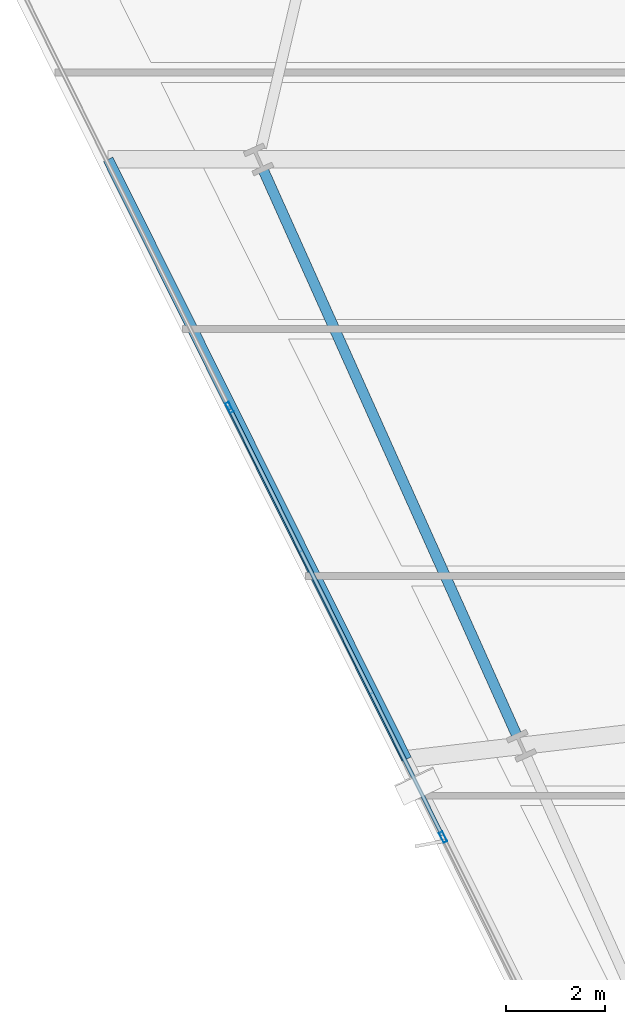
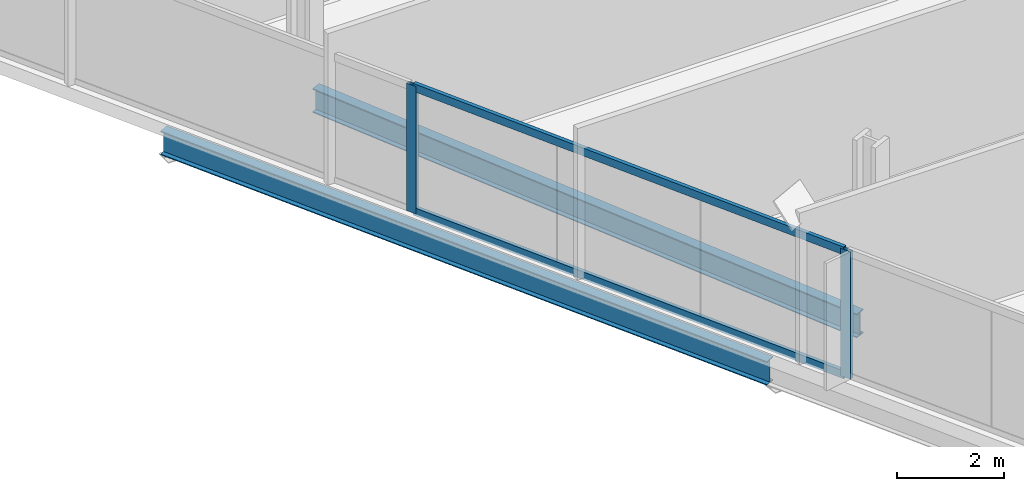
# One storey, part 5 of 35: 4 members, 2 beams, 1 element without a shape of its own.
"""IFC4 building model written with IfcOpenShell, lengths in metres."""

from ifc_helpers import new_model, si_unit, direction, frame, origin, origin_2d, place, context, subcontext, project, spatial, hollow_rectangle, i_section, extrude, material, material_profile, profile_set, type_object, element, aggregate, save


model = new_model("IFC4")

# Units and contexts
model_context = context("Model", 3, precision=1e-05, world=origin(), true_north=direction((0.0, 1.0)))
body_context = subcontext(model_context, "Body", "Model", "MODEL_VIEW")
ifc_project = project(units=[si_unit("LENGTHUNIT", "METRE"), si_unit("AREAUNIT", "SQUARE_METRE"), si_unit("VOLUMEUNIT", "CUBIC_METRE"), si_unit("PLANEANGLEUNIT", "RADIAN"), si_unit("MASSUNIT", "GRAM", prefix="KILO")], contexts=[model_context])

# Site, building, storey
site_placement = place(None, origin())
site = spatial("IfcSite", under=ifc_project, at=site_placement, CompositionType="ELEMENT")
building_placement = place(site_placement, origin())
building = spatial("IfcBuilding", under=site, at=building_placement, Name="Haldenkirk Collegiate Tower", CompositionType="ELEMENT")
storey_placement = place(building_placement, frame((0.0, 0.0, 116.699951171875)))
storey = spatial("IfcBuildingStorey", under=building, at=storey_placement, Name="L28", CompositionType="ELEMENT", Elevation=116.699951171875)

# Beams
ifc_material_1 = material(Name="Steel ASTM A992 Grade 50", Category="steel")
ifc_material_profile_1 = material_profile(ifc_material_1, i_section(OverallWidth=0.2119140625, OverallDepth=0.5439453125, WebThickness=0.01318359375, FlangeThickness=0.021240234375, at=origin_2d()), Name="W21X83")
ifc_profile_set_1 = profile_set([ifc_material_profile_1], Name="Steel ASTM A992 Grade 50")
beam_type = type_object("IfcBeamType", Name="BM-SPANDREL-W21X83", PredefinedType="SPANDREL", material=ifc_profile_set_1)
beam_1_placement = place(storey_placement, frame((9.418212890625, 28.212890625, -0.572021484375), z_axis=(0.409115233697, -0.912482726169, 0.0), x_axis=(0.912482726169, 0.409115233697, 0.0)))
element("IfcBeam", 1, at=beam_1_placement, inside=storey, type_object=beam_type, Name="L28 perimeter spandrel beam 14", PredefinedType="SPANDREL", context=body_context, shape_type="SweptSolid", body=[
    extrude(i_section(OverallWidth=0.2119140625, OverallDepth=0.5439453125, WebThickness=0.01318359375, FlangeThickness=0.021240234375, at=origin_2d()), origin(), (0.0, 0.0, 1.0), 12.524169921875),
])
beam_2_placement = place(storey_placement, frame((6.27294921875, 28.436767578125, -0.572021484375), z_axis=(0.445420362902, -0.895321562519, 0.0), x_axis=(0.895321562519, 0.445420362902, 0.0)))
element("IfcBeam", 2, at=beam_2_placement, inside=storey, type_object=beam_type, Name="L28 outer facade edge beam 4A", PredefinedType="SPANDREL", context=body_context, shape_type="SweptSolid", body=[
    extrude(i_section(OverallWidth=0.2119140625, OverallDepth=0.5439453125, WebThickness=0.01318359375, FlangeThickness=0.021240234375, at=origin_2d()), origin(), (0.0, 0.0, 1.0), 13.56689453125),
])

# Curtain wall, members
ifc_material_2 = material(Name="Anodised architectural bronze aluminium", Category="aluminium")
curtain_wall_type = type_object("IfcCurtainWallType", Name="CW-SYS1-CONVEX-LOW", PredefinedType="USERDEFINED", material=ifc_material_2)
curtain_wall_placement = place(storey_placement, origin())
curtain_wall = element("IfcCurtainWall", 3, at=curtain_wall_placement, inside=storey, type_object=curtain_wall_type, Name="L28 Lower tower convex bronze-framed unitised curtain wall", ObjectType="UNITISED CURTAIN WALL", PredefinedType="USERDEFINED")
ifc_material_profile_2 = material_profile(ifc_material_2, hollow_rectangle(XDim=0.080078125, YDim=0.219970703125, WallThickness=0.0048828125, at=origin_2d()), Name="CW-MUL-1A")
ifc_profile_set_2 = profile_set([ifc_material_profile_2], Name="Anodised architectural bronze aluminium")
member_type_1 = type_object("IfcMemberType", Name="CW-MUL-1A", PredefinedType="MULLION", material=ifc_profile_set_2)
member_1_placement = place(storey_placement, frame((13.056640625, 14.71142578125, 0.0), z_axis=(0.0, 0.0, 1.0), x_axis=(-0.895324163521, -0.445415134696, 0.0)))
member_1 = element("IfcMember", 4, at=member_1_placement, type_object=member_type_1, Name="CW-1A mullion 3", PredefinedType="MULLION", context=body_context, shape_type="SweptSolid", body=[
    extrude(hollow_rectangle(XDim=0.080078125, YDim=0.219970703125, WallThickness=0.0048828125, at=origin_2d()), origin(), (0.0, 0.0, 1.0), 2.901123046875),
])
member_2_placement = place(storey_placement, frame((8.727783203125, 23.412841796875, 0.0), z_axis=(0.0, 0.0, 1.0), x_axis=(-0.895324163521, -0.445415134696, 0.0)))
member_2 = element("IfcMember", 5, at=member_2_placement, type_object=member_type_1, Name="CW-1A mullion 4", PredefinedType="MULLION", context=body_context, shape_type="SweptSolid", body=[
    extrude(hollow_rectangle(XDim=0.080078125, YDim=0.219970703125, WallThickness=0.0048828125, at=origin_2d()), origin(), (0.0, 0.0, 1.0), 2.901123046875),
])
ifc_material_profile_3 = material_profile(ifc_material_2, hollow_rectangle(XDim=0.080078125, YDim=0.179931640625, WallThickness=0.0048828125, at=origin_2d()), Name="CW-TRN-1A")
ifc_profile_set_3 = profile_set([ifc_material_profile_3], Name="Anodised architectural bronze aluminium")
member_type_2 = type_object("IfcMemberType", Name="CW-TRN-1A", PredefinedType="USERDEFINED", material=ifc_profile_set_3)
member_3_placement = place(storey_placement, frame((13.038818359375, 14.747314453125, 0.0400390625), z_axis=(-0.445419367549, 0.895322057705, 0.0), x_axis=(-0.895322057705, -0.445419367549, 0.0)))
member_3 = element("IfcMember", 6, at=member_3_placement, type_object=member_type_2, Name="CW-1A transom 3.1", ObjectType="TRANSOM", PredefinedType="USERDEFINED", context=body_context, shape_type="SweptSolid", body=[
    extrude(hollow_rectangle(XDim=0.080078125, YDim=0.179931640625, WallThickness=0.0048828125, at=origin_2d()), origin(), (0.0, 0.0, 1.0), 9.638671875),
])
member_4_placement = place(storey_placement, frame((13.038818359375, 14.747314453125, 2.861083984375), z_axis=(-0.445419367549, 0.895322057705, 0.0), x_axis=(-0.895322057705, -0.445419367549, 0.0)))
member_4 = element("IfcMember", 7, at=member_4_placement, type_object=member_type_2, Name="CW-1A transom 3.2", ObjectType="TRANSOM", PredefinedType="USERDEFINED", context=body_context, shape_type="SweptSolid", body=[
    extrude(hollow_rectangle(XDim=0.080078125, YDim=0.179931640625, WallThickness=0.0048828125, at=origin_2d()), origin(), (0.0, 0.0, 1.0), 9.638671875),
])
aggregate(curtain_wall, [member_1, member_2, member_3, member_4])

save(model, "model.ifc")
